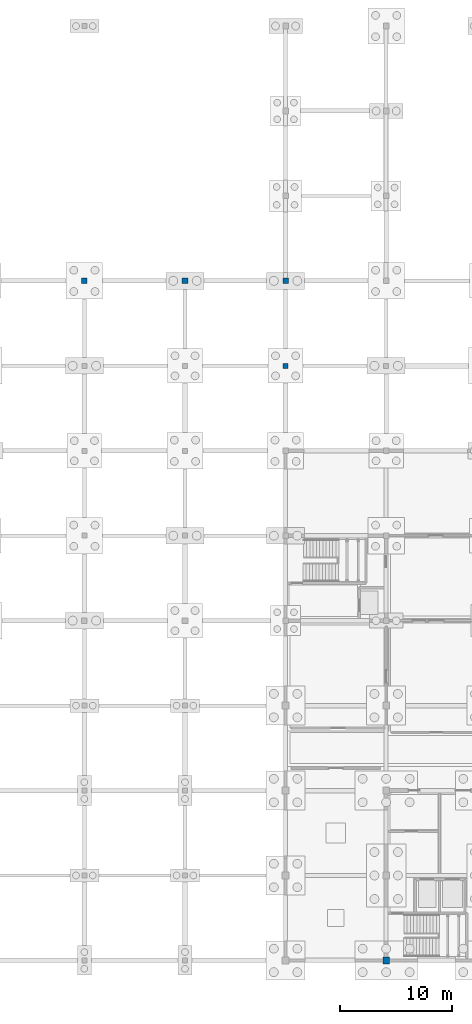
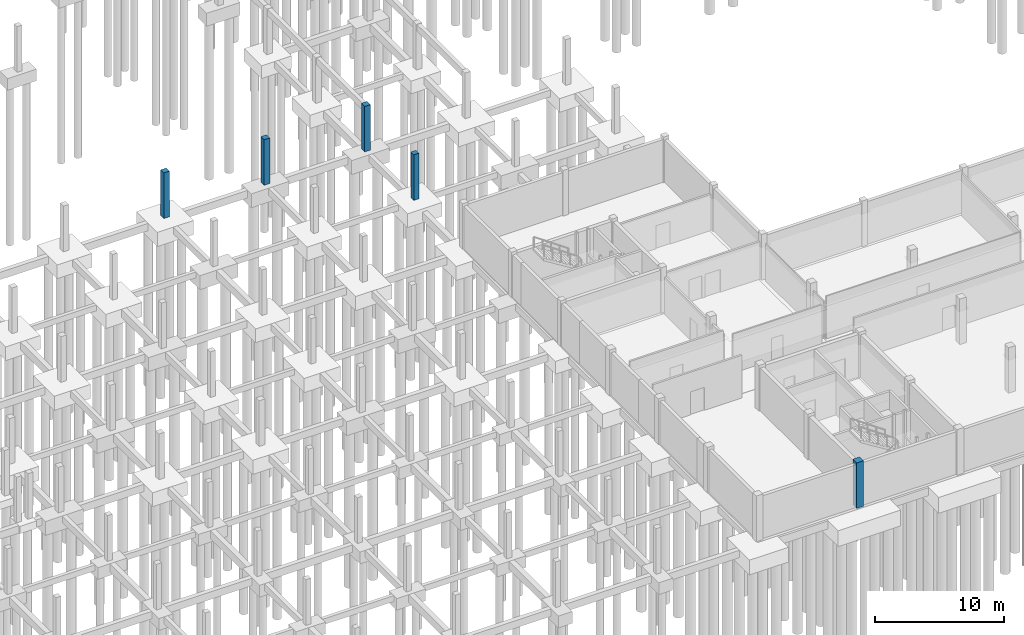
# One storey, part 15 of 28: 5 columns.
"""IFC4 building model written with IfcOpenShell, lengths in metres."""

from ifc_helpers import new_model, si_unit, direction, frame, origin, origin_2d, place, context, subcontext, project, spatial, rectangle, extrude, material, material_profile, profile_set, type_object, element, save


model = new_model("IFC4")

# Units and contexts
model_context = context("Model", 3, precision=1e-05, world=origin(), true_north=direction((0.0, 1.0)))
body_context = subcontext(model_context, "Body", "Model", "MODEL_VIEW")
ifc_project = project(units=[si_unit("LENGTHUNIT", "METRE"), si_unit("AREAUNIT", "SQUARE_METRE"), si_unit("VOLUMEUNIT", "CUBIC_METRE"), si_unit("PLANEANGLEUNIT", "RADIAN"), si_unit("MASSUNIT", "GRAM", prefix="KILO")], contexts=[model_context])

# Site, building, storey
site_placement = place(None, origin())
site = spatial("IfcSite", under=ifc_project, at=site_placement, CompositionType="ELEMENT")
building_placement = place(site_placement, origin())
building = spatial("IfcBuilding", under=site, at=building_placement, Name="Caisbarro Railhouse Central Library", CompositionType="ELEMENT")
storey_placement = place(building_placement, frame((0.0, 0.0, -4.320068359375)))
storey = spatial("IfcBuildingStorey", under=building, at=storey_placement, Name="B01", CompositionType="ELEMENT", Elevation=-4.320068359375)

# Columns
ifc_material = material(Name="Concrete C40", Category="concrete")
ifc_material_profile_1 = material_profile(ifc_material, rectangle(XDim=0.449951171875, YDim=0.449951171875, at=origin_2d()), Name="RC-COL-450X450")
ifc_profile_set_1 = profile_set([ifc_material_profile_1], Name="Concrete C40")
column_type_1 = type_object("IfcColumnType", Name="COL-RC45", PredefinedType="COLUMN", material=ifc_profile_set_1)
column_1_placement = place(storey_placement, frame((54.0, 53.199951171875, 0.0), z_axis=(0.0, 0.0, 1.0), x_axis=(1.0, 0.0, 0.0)))
element("IfcColumn", 1, at=column_1_placement, inside=storey, type_object=column_type_1, Name="RC45 column B01 (54.0,53.2)", PredefinedType="COLUMN", context=body_context, shape_type="SweptSolid", body=[
    extrude(rectangle(XDim=0.449951171875, YDim=0.449951171875, at=origin_2d()), origin(), (0.0, 0.0, 1.0), 4.320068359375),
])
ifc_material_profile_2 = material_profile(ifc_material, rectangle(XDim=0.5, YDim=0.5, at=origin_2d()), Name="RC-COL-500X500")
ifc_profile_set_2 = profile_set([ifc_material_profile_2], Name="Concrete C40")
column_type_2 = type_object("IfcColumnType", Name="COL-RC50", PredefinedType="COLUMN", material=ifc_profile_set_2)
for number, where, z_axis, x_axis, name in (
    (2, (36.0, 60.800048828125, 0.0), (0.0, 0.0, 1.0), (1.0, 0.0, 0.0), "RC50 column B01 (36.0,60.8)"),
    (3, (45.0, 60.800048828125, 0.0), (0.0, 0.0, 1.0), (1.0, 0.0, 0.0), "RC50 column B01 (45.0,60.8)"),
    (4, (54.0, 60.800048828125, 0.0), (0.0, 0.0, 1.0), (1.0, 0.0, 0.0), "RC50 column B01 (54.0,60.8)"),
):
    element("IfcColumn", number, at=place(storey_placement, frame(where, z_axis=z_axis, x_axis=x_axis)), inside=storey, type_object=column_type_2, Name=name, PredefinedType="COLUMN", context=body_context, shape_type="SweptSolid", body=[
        extrude(rectangle(XDim=0.5, YDim=0.5, at=origin_2d()), origin(), (0.0, 0.0, 1.0), 4.320068359375),
    ])
ifc_material_profile_3 = material_profile(ifc_material, rectangle(XDim=0.60009765625, YDim=0.60009765625, at=origin_2d()), Name="RC-COL-600X600")
ifc_profile_set_3 = profile_set([ifc_material_profile_3], Name="Concrete C40")
column_type_3 = type_object("IfcColumnType", Name="COL-RC60", PredefinedType="COLUMN", material=ifc_profile_set_3)
column_2_placement = place(storey_placement, frame((63.0, 0.0, 0.0), z_axis=(0.0, 0.0, 1.0), x_axis=(1.0, 0.0, 0.0)))
element("IfcColumn", 5, at=column_2_placement, inside=storey, type_object=column_type_3, Name="RC60 column B01 (63.0,0.0)", PredefinedType="COLUMN", context=body_context, shape_type="SweptSolid", body=[
    extrude(rectangle(XDim=0.60009765625, YDim=0.60009765625, at=origin_2d()), origin(), (0.0, 0.0, 1.0), 4.320068359375),
])

save(model, "model.ifc")
